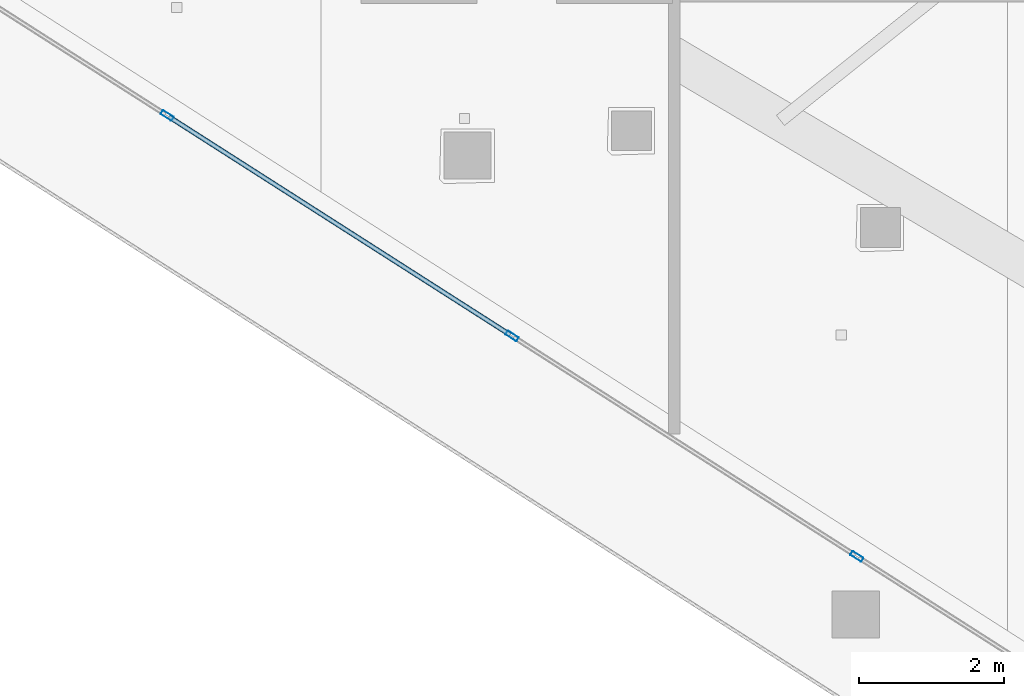
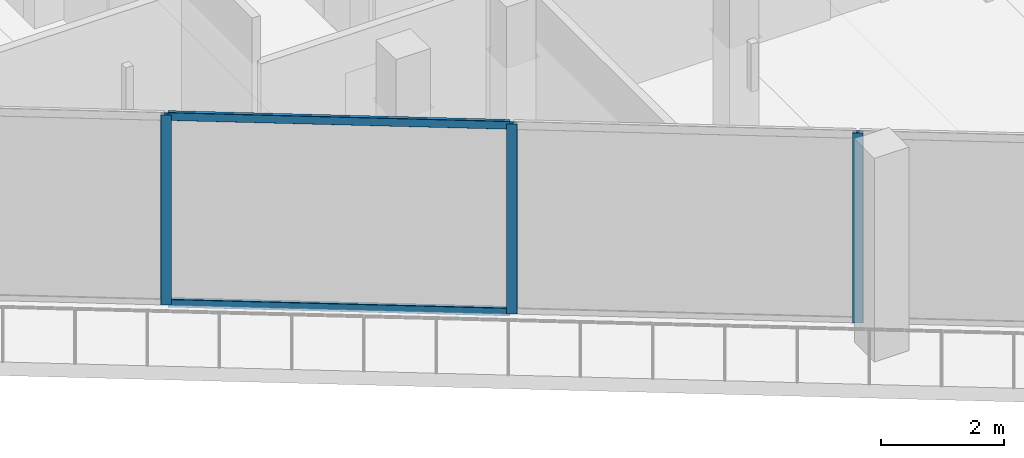
# One storey, part 3 of 37: 5 members, 1 element without a shape of its own.
"""IFC4 building model written with IfcOpenShell, lengths in metres."""

import ifcopenshell
import ifcopenshell.guid

model = None  # the IFC model being written
_history = None  # IfcOwnerHistory: only IFC2X3 demands one
_inside = {}  # id of a spatial element -> (the spatial element, [elements in it])
_under = {}  # id of a project, library or spatial element -> (it, [spatial elements below it])
_declared = {}  # id of a project -> (the project, [libraries it declares])
_typed = {}  # id of a type object -> (the type object, [elements of that type])
_made_of = {}  # id of a material, layer set ... -> (it, [elements and type objects made of it])


def new_model(schema):
    """Start an empty IFC model of exactly this schema.

    Asked for "IFC4X3", IfcOpenShell would pick the latest addendum, in which some entities
    have other attributes; the version numbers below select the first issue.
    IFC2X3 requires an IfcOwnerHistory on every rooted entity: one is made here for all.
    """
    global model, _history
    if schema == "IFC4X3":
        model = ifcopenshell.file(schema_version=(4, 3, 0, 0))
    else:
        model = ifcopenshell.file(schema=schema)
    _inside.clear()
    _under.clear()
    _declared.clear()
    _typed.clear()
    _made_of.clear()
    _history = None
    if model.schema == "IFC2X3":
        org = make("IfcOrganization", Name="unknown")
        user = make(
            "IfcPersonAndOrganization",
            ThePerson=make("IfcPerson", FamilyName="unknown"),
            TheOrganization=org,
        )
        app = make(
            "IfcApplication",
            ApplicationDeveloper=org,
            Version="unknown",
            ApplicationFullName="unknown",
            ApplicationIdentifier="unknown",
        )
        _history = make(
            "IfcOwnerHistory",
            OwningUser=user,
            OwningApplication=app,
            ChangeAction="ADDED",
            CreationDate=0,
        )
    return model


def make(cls, **values):
    """One entity of the class cls with the attributes given. An attribute that is None is left unset."""
    return model.create_entity(
        cls, **{name: value for name, value in values.items() if value is not None}
    )


def rooted(cls, **values):
    """An entity with a GlobalId (a new one), such as an element, a storey or a relation."""
    return make(cls, GlobalId=ifcopenshell.guid.new(), OwnerHistory=_history, **values)


def si_unit(unit_type, name, prefix=None):
    """IfcSIUnit, for example si_unit("LENGTHUNIT", "METRE", prefix="MILLI")."""
    return make("IfcSIUnit", UnitType=unit_type, Prefix=prefix, Name=name)


def assignment(units):
    """IfcUnitAssignment: the units of a project."""
    return None if units is None else make("IfcUnitAssignment", Units=units)


def point(xyz):
    """IfcCartesianPoint."""
    return None if xyz is None else make("IfcCartesianPoint", Coordinates=xyz)


def direction(xyz):
    """IfcDirection."""
    return None if xyz is None else make("IfcDirection", DirectionRatios=xyz)


def frame(location, z_axis=None, x_axis=None):
    """IfcAxis2Placement3D, a coordinate frame: its origin and axes. An axis left out is left unset."""
    return make(
        "IfcAxis2Placement3D",
        Location=point(location),
        Axis=direction(z_axis),
        RefDirection=direction(x_axis),
    )


def frame_2d(location, x_axis=None):
    """IfcAxis2Placement2D, a coordinate frame in the plane: its origin and x axis."""
    return make(
        "IfcAxis2Placement2D", Location=point(location), RefDirection=direction(x_axis)
    )


def origin():
    """The frame at (0, 0, 0) with its axes left unset."""
    return frame((0.0, 0.0, 0.0))


def origin_2d():
    """The frame at (0, 0) in the plane with its x axis left unset."""
    return frame_2d((0.0, 0.0))


def place(relative_to, where):
    """IfcLocalPlacement: puts the frame where relative to a parent placement (None: the world)."""
    return make(
        "IfcLocalPlacement", PlacementRelTo=relative_to, RelativePlacement=where
    )


def context(
    kind, dimensions, precision=None, world=None, true_north=None, identifier=None
):
    """IfcGeometricRepresentationContext, for example the 3D "Model" context."""
    return make(
        "IfcGeometricRepresentationContext",
        ContextIdentifier=identifier,
        ContextType=kind,
        CoordinateSpaceDimension=dimensions,
        Precision=precision,
        WorldCoordinateSystem=world,
        TrueNorth=true_north,
    )


def subcontext(parent, identifier, kind, view, scale=None):
    """IfcGeometricRepresentationSubContext, for example "Body" below "Model"."""
    return make(
        "IfcGeometricRepresentationSubContext",
        ContextIdentifier=identifier,
        ContextType=kind,
        ParentContext=parent,
        TargetScale=scale,
        TargetView=view,
    )


def project(units=None, contexts=None):
    """IfcProject with its units and contexts."""
    return rooted(
        "IfcProject",
        Name="project",
        RepresentationContexts=contexts,
        UnitsInContext=assignment(units),
    )


def spatial(cls, under=None, at=None, **own):
    """A site, building, storey or space (cls), placed at a placement, below another one or the project."""
    s = rooted(cls, ObjectPlacement=at, **own)
    if under is not None:
        _under.setdefault(under.id(), (under, []))[1].append(s)
    return s


def profile(cls, at=None, kind="AREA", **sizes):
    """A parametric profile (cls). Its sizes go by their IFC names, for example OverallWidth=200.0."""
    return make(cls, ProfileType=kind, Position=at, **sizes)


def hollow_rectangle(**sizes):
    """IfcRectangleHollowProfileDef."""
    return profile("IfcRectangleHollowProfileDef", **sizes)


def extrude(swept, where, along, depth):
    """IfcExtrudedAreaSolid: the profile swept, set in the frame where, extruded along a direction by depth."""
    return make(
        "IfcExtrudedAreaSolid",
        SweptArea=swept,
        Position=where,
        ExtrudedDirection=direction(along),
        Depth=depth,
    )


def shape(context_of_items, identifier, shape_type, items):
    """IfcShapeRepresentation: the items that make up one representation, for example the "Body"."""
    return make(
        "IfcShapeRepresentation",
        ContextOfItems=context_of_items,
        RepresentationIdentifier=identifier,
        RepresentationType=shape_type,
        Items=items,
    )


def material(Name=None, Category=None):
    """IfcMaterial."""
    return make("IfcMaterial", Name=Name, Category=Category)


def layer(
    of_material, thickness, ventilated=None, Name=None, Category=None, Priority=None
):
    """IfcMaterialLayer: one layer of a wall or slab, of a material (None: an air gap)."""
    return make(
        "IfcMaterialLayer",
        Material=of_material,
        LayerThickness=thickness,
        IsVentilated=ventilated,
        Name=Name,
        Category=Category,
        Priority=Priority,
    )


def layer_set(layers, Name=None):
    """IfcMaterialLayerSet."""
    return make("IfcMaterialLayerSet", MaterialLayers=layers, LayerSetName=Name)


def material_profile(
    of_material, cross_section, Name=None, Category=None, Priority=None
):
    """IfcMaterialProfile: a cross section and its material."""
    return make(
        "IfcMaterialProfile",
        Name=Name,
        Material=of_material,
        Profile=cross_section,
        Priority=Priority,
        Category=Category,
    )


def profile_set(profiles, Name=None, composite=None):
    """IfcMaterialProfileSet."""
    return make(
        "IfcMaterialProfileSet",
        Name=Name,
        MaterialProfiles=profiles,
        CompositeProfile=composite,
    )


def made_of(thing, what):
    """Note that an element or type object is made of a material, layer set ...; save() writes the relation."""
    if what is not None:
        _made_of.setdefault(what.id(), (what, []))[1].append(thing)
    return thing


def type_object(cls, material=None, **own):
    """A type object (cls), such as IfcWallType, which elements share."""
    return made_of(rooted(cls, **own), material)


def element(
    cls,
    number,
    at=None,
    inside=None,
    cuts=None,
    type_object=None,
    material=None,
    context=None,
    identifier="Body",
    shape_type=None,
    held_by="IfcProductDefinitionShape",
    body=None,
    shapes=None,
    **own,
):
    """One element of the class cls, such as IfcWall. Its Tag is "e" and its number.

    at: its placement. inside: the storey or other place that contains it. cuts: it is an
    opening in that element (IfcRelVoidsElement). A single representation is given by context,
    identifier, shape_type and body (its items); several are given by shapes. held_by: the class
    of the entity that holds the representations. save() writes the other relations.
    """
    e = rooted(cls, Tag="e%d" % number, ObjectPlacement=at, **own)
    if body is not None:
        shapes = [shape(context, identifier, shape_type, body)]
    if shapes is not None:
        e.Representation = make(held_by, Representations=shapes)
    if inside is not None:
        _inside.setdefault(inside.id(), (inside, []))[1].append(e)
    if cuts is not None:
        rooted(
            "IfcRelVoidsElement", RelatingBuildingElement=cuts, RelatedOpeningElement=e
        )
    if type_object is not None:
        _typed.setdefault(type_object.id(), (type_object, []))[1].append(e)
    return made_of(e, material)


def aggregate(whole, parts):
    """IfcRelAggregates: a whole, such as a stair, and the parts it consists of."""
    return rooted("IfcRelAggregates", RelatingObject=whole, RelatedObjects=parts)


def save(model, path):
    """Write the relations noted so far, then the file.

    IfcRelAggregates (storeys below a building ...), IfcRelContainedInSpatialStructure (elements
    in a storey), IfcRelDefinesByType, IfcRelAssociatesMaterial and IfcRelDeclares: one each for
    every whole, place, type object, material and project.
    """
    for whole, parts in _under.values():
        aggregate(whole, parts)
    for where, things in _inside.values():
        rooted(
            "IfcRelContainedInSpatialStructure",
            RelatedElements=things,
            RelatingStructure=where,
        )
    for kind, things in _typed.values():
        rooted("IfcRelDefinesByType", RelatedObjects=things, RelatingType=kind)
    for what, things in _made_of.values():
        rooted("IfcRelAssociatesMaterial", RelatedObjects=things, RelatingMaterial=what)
    for by, libraries in _declared.values():
        rooted("IfcRelDeclares", RelatingContext=by, RelatedDefinitions=libraries)
    model.write(path)


model = new_model("IFC4")

# Units and contexts
model_context = context("Model", 3, precision=1e-05, world=origin(), true_north=direction((0.0, 1.0)))
body_context = subcontext(model_context, "Body", "Model", "MODEL_VIEW")
ifc_project = project(units=[si_unit("LENGTHUNIT", "METRE"), si_unit("AREAUNIT", "SQUARE_METRE"), si_unit("VOLUMEUNIT", "CUBIC_METRE"), si_unit("PLANEANGLEUNIT", "RADIAN"), si_unit("MASSUNIT", "GRAM", prefix="KILO")], contexts=[model_context])

# Site, building, storey
site_placement = place(None, origin())
site = spatial("IfcSite", under=ifc_project, at=site_placement, CompositionType="ELEMENT")
building_placement = place(site_placement, origin())
building = spatial("IfcBuilding", under=site, at=building_placement, Name="Qorvath Tower", CompositionType="ELEMENT")
storey_placement = place(building_placement, frame((0.0, 0.0, 196.949951171875)))
storey = spatial("IfcBuildingStorey", under=building, at=storey_placement, Name="L45", CompositionType="ELEMENT", Elevation=196.949951171875)

# Curtain wall, members
ifc_material_1 = material(Name="Anodised aluminium and triple low-E glass", Category="aluminium")
ifc_layer = layer(ifc_material_1, 0.179931640625)
ifc_layer_set = layer_set([ifc_layer], Name="CW-SYS-3")
curtain_wall_type = type_object("IfcCurtainWallType", Name="CW-SYS-3", PredefinedType="NOTDEFINED", material=ifc_layer_set)
curtain_wall_placement = place(storey_placement, origin())
curtain_wall = element("IfcCurtainWall", 1, at=curtain_wall_placement, inside=storey, type_object=curtain_wall_type, Name="Curtain Wall CW-3 CW-T-L45-2.1", PredefinedType="NOTDEFINED")
ifc_material_2 = material(Name="Anodised aluminium 6063-T6", Category="aluminium")
ifc_material_profile_1 = material_profile(ifc_material_2, hollow_rectangle(XDim=0.06494140625, YDim=0.179931640625, WallThickness=0.00341796875, InnerFilletRadius=0.00341796875, OuterFilletRadius=0.007080078125, at=origin_2d()), Name="CWM 180x65")
ifc_profile_set_1 = profile_set([ifc_material_profile_1], Name="Anodised aluminium 6063-T6")
member_type_1 = type_object("IfcMemberType", Name="CWM-180", PredefinedType="MULLION", material=ifc_profile_set_1)
member_1_placement = place(storey_placement, frame((-40.50537109375, -12.583740234375, 0.0), z_axis=(0.0, 0.0, 1.0), x_axis=(0.538533623725, 0.842604020948, 0.0)))
member_1 = element("IfcMember", 2, at=member_1_placement, type_object=member_type_1, Name="CW-3 mullion 4", PredefinedType="MULLION", context=body_context, shape_type="SweptSolid", body=[
    extrude(hollow_rectangle(XDim=0.06494140625, YDim=0.179931640625, WallThickness=0.00341796875, InnerFilletRadius=0.00341796875, OuterFilletRadius=0.007080078125, at=origin_2d()), origin(), (0.0, 0.0, 1.0), 3.780029296875),
])
member_2_placement = place(storey_placement, frame((-35.752685546875, -15.62109375, 0.0), z_axis=(0.0, 0.0, 1.0), x_axis=(0.538533623725, 0.842604020948, 0.0)))
member_2 = element("IfcMember", 3, at=member_2_placement, type_object=member_type_1, Name="CW-3 mullion 5", PredefinedType="MULLION", context=body_context, shape_type="SweptSolid", body=[
    extrude(hollow_rectangle(XDim=0.06494140625, YDim=0.179931640625, WallThickness=0.00341796875, InnerFilletRadius=0.00341796875, OuterFilletRadius=0.007080078125, at=origin_2d()), origin(), (0.0, 0.0, 1.0), 3.780029296875),
])
member_3_placement = place(storey_placement, frame((-31.000244140625, -18.65869140625, 0.0), z_axis=(0.0, 0.0, 1.0), x_axis=(0.538533623725, 0.842604020948, 0.0)))
member_3 = element("IfcMember", 4, at=member_3_placement, type_object=member_type_1, Name="CW-3 mullion 6", PredefinedType="MULLION", context=body_context, shape_type="SweptSolid", body=[
    extrude(hollow_rectangle(XDim=0.06494140625, YDim=0.179931640625, WallThickness=0.00341796875, InnerFilletRadius=0.00341796875, OuterFilletRadius=0.007080078125, at=origin_2d()), origin(), (0.0, 0.0, 1.0), 3.780029296875),
])
ifc_material_3 = material(Name="Anodised aluminium 6063-T6", Category="aluminium")
ifc_material_profile_2 = material_profile(ifc_material_3, hollow_rectangle(XDim=0.06494140625, YDim=0.159912109375, WallThickness=0.00341796875, InnerFilletRadius=0.00341796875, OuterFilletRadius=0.007080078125, at=origin_2d()), Name="CWT 160x65")
ifc_profile_set_2 = profile_set([ifc_material_profile_2], Name="Anodised aluminium 6063-T6")
member_type_2 = type_object("IfcMemberType", Name="CWT-160", PredefinedType="USERDEFINED", material=ifc_profile_set_2)
member_4_placement = place(storey_placement, frame((-40.477783203125, -12.601318359375, 0.032470703125), z_axis=(0.842594144247, -0.538549076761, 0.0), x_axis=(0.538549076761, 0.842594144247, 0.0)))
member_4 = element("IfcMember", 5, at=member_4_placement, type_object=member_type_2, Name="CW-3 transom 4.1", ObjectType="TRANSOM", PredefinedType="USERDEFINED", context=body_context, shape_type="SweptSolid", body=[
    extrude(hollow_rectangle(XDim=0.06494140625, YDim=0.159912109375, WallThickness=0.00341796875, InnerFilletRadius=0.00341796875, OuterFilletRadius=0.007080078125, at=origin_2d()), origin(), (0.0, 0.0, 1.0), 5.574951171875),
])
member_5_placement = place(storey_placement, frame((-40.477783203125, -12.601318359375, 3.74755859375), z_axis=(0.842594144247, -0.538549076761, 0.0), x_axis=(0.538549076761, 0.842594144247, 0.0)))
member_5 = element("IfcMember", 6, at=member_5_placement, type_object=member_type_2, Name="CW-3 transom 4.2", ObjectType="TRANSOM", PredefinedType="USERDEFINED", context=body_context, shape_type="SweptSolid", body=[
    extrude(hollow_rectangle(XDim=0.06494140625, YDim=0.159912109375, WallThickness=0.00341796875, InnerFilletRadius=0.00341796875, OuterFilletRadius=0.007080078125, at=origin_2d()), origin(), (0.0, 0.0, 1.0), 5.574951171875),
])
aggregate(curtain_wall, [member_1, member_2, member_3, member_4, member_5])

save(model, "model.ifc")
